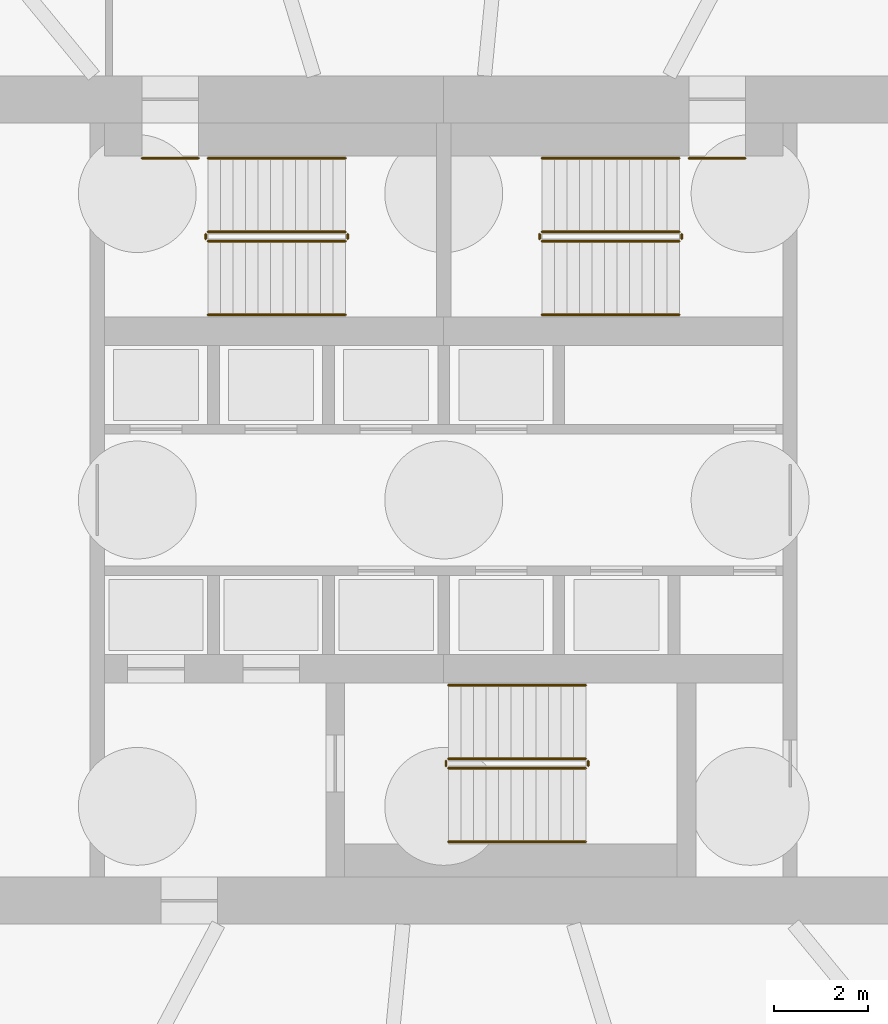
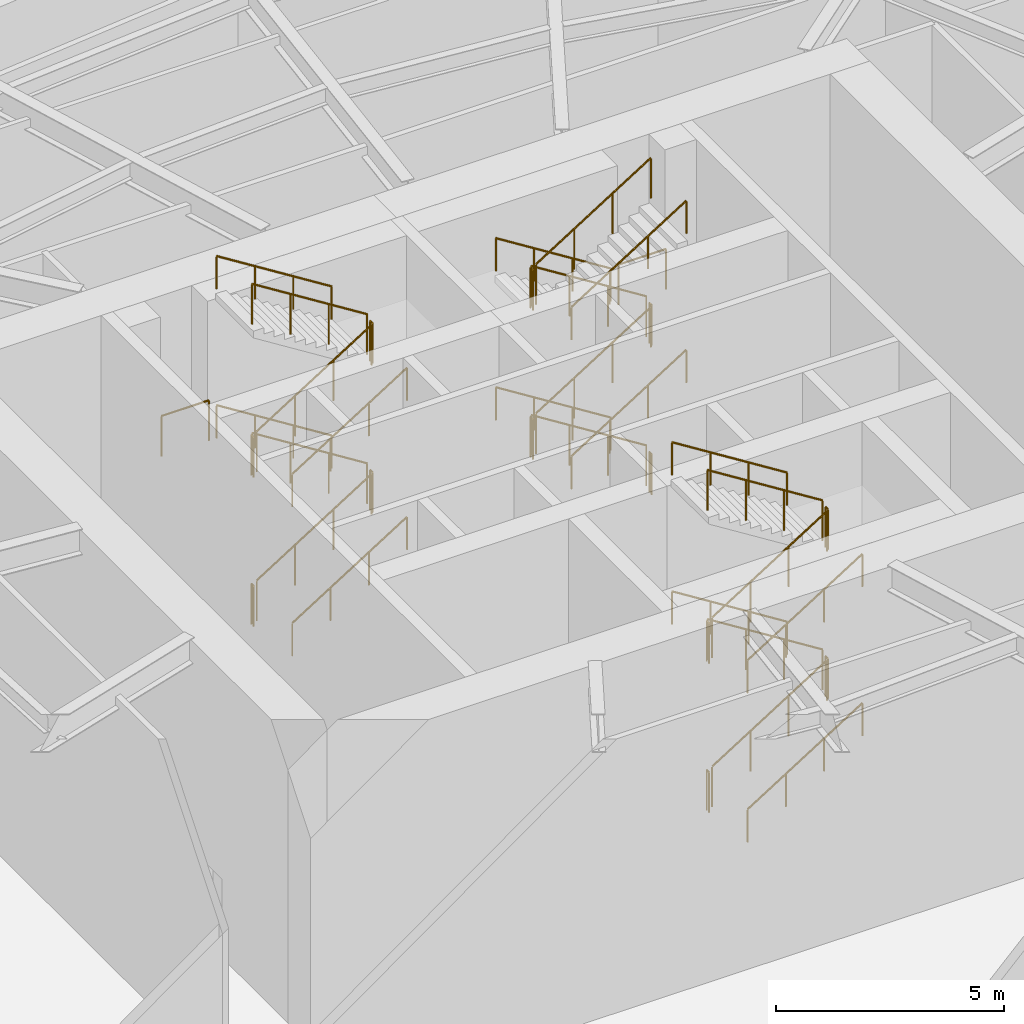
# One storey, part 26 of 27: 38 railings.
"""IFC4 building model written with IfcOpenShell, lengths in metres."""

from ifc_helpers import new_model, si_unit, direction, frame, origin, origin_2d, place, context, subcontext, project, spatial, circle, extrude, material, type_object, element, save


model = new_model("IFC4")

# Units and contexts
model_context = context("Model", 3, precision=1e-05, world=origin(), true_north=direction((0.0, 1.0)))
body_context = subcontext(model_context, "Body", "Model", "MODEL_VIEW")
ifc_project = project(units=[si_unit("LENGTHUNIT", "METRE"), si_unit("AREAUNIT", "SQUARE_METRE"), si_unit("VOLUMEUNIT", "CUBIC_METRE"), si_unit("PLANEANGLEUNIT", "RADIAN"), si_unit("MASSUNIT", "GRAM", prefix="KILO")], contexts=[model_context])

# Site, building, storey
site_placement = place(None, origin())
site = spatial("IfcSite", under=ifc_project, at=site_placement, CompositionType="ELEMENT")
building_placement = place(site_placement, origin())
building = spatial("IfcBuilding", under=site, at=building_placement, Name="Vermilion Reach Broadcast Tower", CompositionType="ELEMENT")
storey_placement = place(building_placement, origin())
storey = spatial("IfcBuildingStorey", under=building, at=storey_placement, Name="L00", CompositionType="ELEMENT", Elevation=0.0)

# Railings
ifc_material_1 = material(Name="Stainless steel", Category="steel")
railing_type_1 = type_object("IfcRailingType", Name="Stair guard 1100", PredefinedType="GUARDRAIL", material=ifc_material_1)
railing_1_placement = place(storey_placement, frame((-11.0, 5.489990234375, 0.166748046875)))
element("IfcRailing", 1, at=railing_1_placement, inside=storey, type_object=railing_type_1, Name="L00 ST1 stair guard 1", PredefinedType="GUARDRAIL", context=body_context, shape_type="SweptSolid", body=[
    extrude(circle(Radius=0.02392578125, at=origin_2d()), frame((0.0, 0.0, 1.076171875), z_axis=(0.846513317117, 0.0, 0.532367545915), x_axis=(0.0, 1.0, 0.0)), (0.0, 0.0, 1.0), 3.443603515625),
    extrude(circle(Radius=0.02099609375, at=origin_2d()), origin(), (0.0, 0.0, 1.0), 1.052001953125),
    extrude(circle(Radius=0.02099609375, at=origin_2d()), frame((0.9716796875, 0.0, 0.611083984375)), (0.0, 0.0, 1.0), 1.052001953125),
    extrude(circle(Radius=0.02099609375, at=origin_2d()), frame((1.943359375, 0.0, 1.22216796875)), (0.0, 0.0, 1.0), 1.052001953125),
    extrude(circle(Radius=0.02099609375, at=origin_2d()), frame((2.9150390625, 0.0, 1.833251953125)), (0.0, 0.0, 1.0), 1.052001953125),
])
railing_2_placement = place(storey_placement, frame((-8.034912109375, 5.5400390625, 2.0)))
element("IfcRailing", 2, at=railing_2_placement, inside=storey, type_object=railing_type_1, Name="L00 ST1 stair guard 2", PredefinedType="GUARDRAIL", context=body_context, shape_type="SweptSolid", body=[
    extrude(circle(Radius=0.02392578125, at=origin_2d()), frame((0.0, 0.0, 1.076171875), z_axis=(0.0, 1.0, 0.0), x_axis=(-1.0, 0.0, 0.0)), (0.0, 0.0, 1.0), 0.099853515625),
    extrude(circle(Radius=0.02099609375, at=origin_2d()), origin(), (0.0, 0.0, 1.0), 1.052001953125),
    extrude(circle(Radius=0.02099609375, at=origin_2d()), frame((0.0, 0.099853515625, 0.0)), (0.0, 0.0, 1.0), 1.052001953125),
])
railing_3_placement = place(storey_placement, frame((-8.0849609375, 5.68994140625, 2.166748046875)))
element("IfcRailing", 3, at=railing_3_placement, inside=storey, type_object=railing_type_1, Name="L00 ST1 stair guard 3", PredefinedType="GUARDRAIL", context=body_context, shape_type="SweptSolid", body=[
    extrude(circle(Radius=0.02392578125, at=origin_2d()), frame((0.0, 0.0, 1.076171875), z_axis=(-0.846513317117, 0.0, 0.532367545915), x_axis=(0.0, -1.0, 0.0)), (0.0, 0.0, 1.0), 3.443603515625),
    extrude(circle(Radius=0.02099609375, at=origin_2d()), origin(), (0.0, 0.0, 1.0), 1.052001953125),
    extrude(circle(Radius=0.02099609375, at=origin_2d()), frame((-0.9716796875, 0.0, 0.611083984375)), (0.0, 0.0, 1.0), 1.052001953125),
    extrude(circle(Radius=0.02099609375, at=origin_2d()), frame((-1.943359375, 0.0, 1.22216796875)), (0.0, 0.0, 1.0), 1.052001953125),
    extrude(circle(Radius=0.02099609375, at=origin_2d()), frame((-2.9150390625, 0.0, 1.833251953125)), (0.0, 0.0, 1.0), 1.052001953125),
])
railing_4_placement = place(storey_placement, frame((-11.050048828125, 5.5400390625, 4.0)))
element("IfcRailing", 4, at=railing_4_placement, inside=storey, type_object=railing_type_1, Name="L00 ST1 stair guard 4", PredefinedType="GUARDRAIL", context=body_context, shape_type="SweptSolid", body=[
    extrude(circle(Radius=0.02392578125, at=origin_2d()), frame((0.0, 0.0, 1.076171875), z_axis=(0.0, 1.0, 0.0), x_axis=(-1.0, 0.0, 0.0)), (0.0, 0.0, 1.0), 0.099853515625),
    extrude(circle(Radius=0.02099609375, at=origin_2d()), origin(), (0.0, 0.0, 1.0), 1.052001953125),
    extrude(circle(Radius=0.02099609375, at=origin_2d()), frame((0.0, 0.099853515625, 0.0)), (0.0, 0.0, 1.0), 1.052001953125),
])
railing_5_placement = place(storey_placement, frame((-11.0, 5.489990234375, 4.166748046875)))
element("IfcRailing", 5, at=railing_5_placement, inside=storey, type_object=railing_type_1, Name="L00 ST1 stair guard 5", PredefinedType="GUARDRAIL", context=body_context, shape_type="SweptSolid", body=[
    extrude(circle(Radius=0.02392578125, at=origin_2d()), frame((0.0, 0.0, 1.076171875), z_axis=(0.846513317117, 0.0, 0.532367545915), x_axis=(0.0, 1.0, 0.0)), (0.0, 0.0, 1.0), 3.443603515625),
    extrude(circle(Radius=0.02099609375, at=origin_2d()), origin(), (0.0, 0.0, 1.0), 1.052001953125),
    extrude(circle(Radius=0.02099609375, at=origin_2d()), frame((0.9716796875, 0.0, 0.611083984375)), (0.0, 0.0, 1.0), 1.052001953125),
    extrude(circle(Radius=0.02099609375, at=origin_2d()), frame((1.943359375, 0.0, 1.22216796875)), (0.0, 0.0, 1.0), 1.052001953125),
    extrude(circle(Radius=0.02099609375, at=origin_2d()), frame((2.9150390625, 0.0, 1.833251953125)), (0.0, 0.0, 1.0), 1.052001953125),
])
railing_6_placement = place(storey_placement, frame((-8.034912109375, 5.5400390625, 6.0)))
element("IfcRailing", 6, at=railing_6_placement, inside=storey, type_object=railing_type_1, Name="L00 ST1 stair guard 6", PredefinedType="GUARDRAIL", context=body_context, shape_type="SweptSolid", body=[
    extrude(circle(Radius=0.02392578125, at=origin_2d()), frame((0.0, 0.0, 1.076171875), z_axis=(0.0, 1.0, 0.0), x_axis=(-1.0, 0.0, 0.0)), (0.0, 0.0, 1.0), 0.099853515625),
    extrude(circle(Radius=0.02099609375, at=origin_2d()), origin(), (0.0, 0.0, 1.0), 1.052001953125),
    extrude(circle(Radius=0.02099609375, at=origin_2d()), frame((0.0, 0.099853515625, 0.0)), (0.0, 0.0, 1.0), 1.052001953125),
])
railing_7_placement = place(storey_placement, frame((-8.0849609375, 5.68994140625, 6.166748046875)))
element("IfcRailing", 7, at=railing_7_placement, inside=storey, type_object=railing_type_1, Name="L00 ST1 stair guard 7", PredefinedType="GUARDRAIL", context=body_context, shape_type="SweptSolid", body=[
    extrude(circle(Radius=0.02392578125, at=origin_2d()), frame((0.0, 0.0, 1.076171875), z_axis=(-0.846513317117, 0.0, 0.532367545915), x_axis=(0.0, -1.0, 0.0)), (0.0, 0.0, 1.0), 3.443603515625),
    extrude(circle(Radius=0.02099609375, at=origin_2d()), origin(), (0.0, 0.0, 1.0), 1.052001953125),
    extrude(circle(Radius=0.02099609375, at=origin_2d()), frame((-0.9716796875, 0.0, 0.611083984375)), (0.0, 0.0, 1.0), 1.052001953125),
    extrude(circle(Radius=0.02099609375, at=origin_2d()), frame((-1.943359375, 0.0, 1.22216796875)), (0.0, 0.0, 1.0), 1.052001953125),
    extrude(circle(Radius=0.02099609375, at=origin_2d()), frame((-2.9150390625, 0.0, 1.833251953125)), (0.0, 0.0, 1.0), 1.052001953125),
])
railing_8_placement = place(storey_placement, frame((-11.050048828125, 5.5400390625, 0.0)))
element("IfcRailing", 8, at=railing_8_placement, inside=storey, type_object=railing_type_1, Name="L00 ST1 stair guard 8", PredefinedType="GUARDRAIL", context=body_context, shape_type="SweptSolid", body=[
    extrude(circle(Radius=0.02392578125, at=origin_2d()), frame((0.0, 0.0, 1.076171875), z_axis=(0.0, 1.0, 0.0), x_axis=(-1.0, 0.0, 0.0)), (0.0, 0.0, 1.0), 0.099853515625),
    extrude(circle(Radius=0.02099609375, at=origin_2d()), origin(), (0.0, 0.0, 1.0), 1.052001953125),
    extrude(circle(Radius=0.02099609375, at=origin_2d()), frame((0.0, 0.099853515625, 0.0)), (0.0, 0.0, 1.0), 1.052001953125),
])
railing_9_placement = place(storey_placement, frame((-12.39990234375, 7.25, 4.0)))
element("IfcRailing", 9, at=railing_9_placement, inside=storey, type_object=railing_type_1, Name="L00 ST1 doorway guard", PredefinedType="GUARDRAIL", context=body_context, shape_type="SweptSolid", body=[
    extrude(circle(Radius=0.02392578125, at=origin_2d()), frame((0.0, 0.0, 1.076171875), z_axis=(1.0, 0.0, 0.0), x_axis=(0.0, 1.0, 0.0)), (0.0, 0.0, 1.0), 1.199951171875),
    extrude(circle(Radius=0.02099609375, at=origin_2d()), origin(), (0.0, 0.0, 1.0), 1.052001953125),
    extrude(circle(Radius=0.02099609375, at=origin_2d()), frame((1.199951171875, 0.0, 0.0)), (0.0, 0.0, 1.0), 1.052001953125),
])
railing_10_placement = place(storey_placement, frame((-1.0, 5.68994140625, 0.166748046875)))
element("IfcRailing", 10, at=railing_10_placement, inside=storey, type_object=railing_type_1, Name="L00 ST2 stair guard 1", PredefinedType="GUARDRAIL", context=body_context, shape_type="SweptSolid", body=[
    extrude(circle(Radius=0.02392578125, at=origin_2d()), frame((0.0, 0.0, 1.076171875), z_axis=(-0.846513317117, 0.0, 0.532367545915), x_axis=(0.0, -1.0, 0.0)), (0.0, 0.0, 1.0), 3.443603515625),
    extrude(circle(Radius=0.02099609375, at=origin_2d()), origin(), (0.0, 0.0, 1.0), 1.052001953125),
    extrude(circle(Radius=0.02099609375, at=origin_2d()), frame((-0.9716796875, 0.0, 0.611083984375)), (0.0, 0.0, 1.0), 1.052001953125),
    extrude(circle(Radius=0.02099609375, at=origin_2d()), frame((-1.943359375, 0.0, 1.22216796875)), (0.0, 0.0, 1.0), 1.052001953125),
    extrude(circle(Radius=0.02099609375, at=origin_2d()), frame((-2.9150390625, 0.0, 1.833251953125)), (0.0, 0.0, 1.0), 1.052001953125),
])
railing_11_placement = place(storey_placement, frame((-3.965087890625, 5.639892578125, 2.0)))
element("IfcRailing", 11, at=railing_11_placement, inside=storey, type_object=railing_type_1, Name="L00 ST2 stair guard 2", PredefinedType="GUARDRAIL", context=body_context, shape_type="SweptSolid", body=[
    extrude(circle(Radius=0.02392578125, at=origin_2d()), frame((0.0, 0.0, 1.076171875), z_axis=(0.0, -1.0, 0.0), x_axis=(1.0, 0.0, 0.0)), (0.0, 0.0, 1.0), 0.099853515625),
    extrude(circle(Radius=0.02099609375, at=origin_2d()), origin(), (0.0, 0.0, 1.0), 1.052001953125),
    extrude(circle(Radius=0.02099609375, at=origin_2d()), frame((0.0, -0.099853515625, 0.0)), (0.0, 0.0, 1.0), 1.052001953125),
])
railing_12_placement = place(storey_placement, frame((-3.9150390625, 5.489990234375, 2.166748046875)))
element("IfcRailing", 12, at=railing_12_placement, inside=storey, type_object=railing_type_1, Name="L00 ST2 stair guard 3", PredefinedType="GUARDRAIL", context=body_context, shape_type="SweptSolid", body=[
    extrude(circle(Radius=0.02392578125, at=origin_2d()), frame((0.0, 0.0, 1.076171875), z_axis=(0.846513317117, 0.0, 0.532367545915), x_axis=(0.0, 1.0, 0.0)), (0.0, 0.0, 1.0), 3.443603515625),
    extrude(circle(Radius=0.02099609375, at=origin_2d()), origin(), (0.0, 0.0, 1.0), 1.052001953125),
    extrude(circle(Radius=0.02099609375, at=origin_2d()), frame((0.9716796875, 0.0, 0.611083984375)), (0.0, 0.0, 1.0), 1.052001953125),
    extrude(circle(Radius=0.02099609375, at=origin_2d()), frame((1.943359375, 0.0, 1.22216796875)), (0.0, 0.0, 1.0), 1.052001953125),
    extrude(circle(Radius=0.02099609375, at=origin_2d()), frame((2.9150390625, 0.0, 1.833251953125)), (0.0, 0.0, 1.0), 1.052001953125),
])
railing_13_placement = place(storey_placement, frame((-0.949951171875, 5.639892578125, 4.0)))
element("IfcRailing", 13, at=railing_13_placement, inside=storey, type_object=railing_type_1, Name="L00 ST2 stair guard 4", PredefinedType="GUARDRAIL", context=body_context, shape_type="SweptSolid", body=[
    extrude(circle(Radius=0.02392578125, at=origin_2d()), frame((0.0, 0.0, 1.076171875), z_axis=(0.0, -1.0, 0.0), x_axis=(1.0, 0.0, 0.0)), (0.0, 0.0, 1.0), 0.099853515625),
    extrude(circle(Radius=0.02099609375, at=origin_2d()), origin(), (0.0, 0.0, 1.0), 1.052001953125),
    extrude(circle(Radius=0.02099609375, at=origin_2d()), frame((0.0, -0.099853515625, 0.0)), (0.0, 0.0, 1.0), 1.052001953125),
])
railing_14_placement = place(storey_placement, frame((-1.0, 5.68994140625, 4.166748046875)))
element("IfcRailing", 14, at=railing_14_placement, inside=storey, type_object=railing_type_1, Name="L00 ST2 stair guard 5", PredefinedType="GUARDRAIL", context=body_context, shape_type="SweptSolid", body=[
    extrude(circle(Radius=0.02392578125, at=origin_2d()), frame((0.0, 0.0, 1.076171875), z_axis=(-0.846513317117, 0.0, 0.532367545915), x_axis=(0.0, -1.0, 0.0)), (0.0, 0.0, 1.0), 3.443603515625),
    extrude(circle(Radius=0.02099609375, at=origin_2d()), origin(), (0.0, 0.0, 1.0), 1.052001953125),
    extrude(circle(Radius=0.02099609375, at=origin_2d()), frame((-0.9716796875, 0.0, 0.611083984375)), (0.0, 0.0, 1.0), 1.052001953125),
    extrude(circle(Radius=0.02099609375, at=origin_2d()), frame((-1.943359375, 0.0, 1.22216796875)), (0.0, 0.0, 1.0), 1.052001953125),
    extrude(circle(Radius=0.02099609375, at=origin_2d()), frame((-2.9150390625, 0.0, 1.833251953125)), (0.0, 0.0, 1.0), 1.052001953125),
])
railing_15_placement = place(storey_placement, frame((-3.965087890625, 5.639892578125, 6.0)))
element("IfcRailing", 15, at=railing_15_placement, inside=storey, type_object=railing_type_1, Name="L00 ST2 stair guard 6", PredefinedType="GUARDRAIL", context=body_context, shape_type="SweptSolid", body=[
    extrude(circle(Radius=0.02392578125, at=origin_2d()), frame((0.0, 0.0, 1.076171875), z_axis=(0.0, -1.0, 0.0), x_axis=(1.0, 0.0, 0.0)), (0.0, 0.0, 1.0), 0.099853515625),
    extrude(circle(Radius=0.02099609375, at=origin_2d()), origin(), (0.0, 0.0, 1.0), 1.052001953125),
    extrude(circle(Radius=0.02099609375, at=origin_2d()), frame((0.0, -0.099853515625, 0.0)), (0.0, 0.0, 1.0), 1.052001953125),
])
railing_16_placement = place(storey_placement, frame((-3.9150390625, 5.489990234375, 6.166748046875)))
element("IfcRailing", 16, at=railing_16_placement, inside=storey, type_object=railing_type_1, Name="L00 ST2 stair guard 7", PredefinedType="GUARDRAIL", context=body_context, shape_type="SweptSolid", body=[
    extrude(circle(Radius=0.02392578125, at=origin_2d()), frame((0.0, 0.0, 1.076171875), z_axis=(0.846513317117, 0.0, 0.532367545915), x_axis=(0.0, 1.0, 0.0)), (0.0, 0.0, 1.0), 3.443603515625),
    extrude(circle(Radius=0.02099609375, at=origin_2d()), origin(), (0.0, 0.0, 1.0), 1.052001953125),
    extrude(circle(Radius=0.02099609375, at=origin_2d()), frame((0.9716796875, 0.0, 0.611083984375)), (0.0, 0.0, 1.0), 1.052001953125),
    extrude(circle(Radius=0.02099609375, at=origin_2d()), frame((1.943359375, 0.0, 1.22216796875)), (0.0, 0.0, 1.0), 1.052001953125),
    extrude(circle(Radius=0.02099609375, at=origin_2d()), frame((2.9150390625, 0.0, 1.833251953125)), (0.0, 0.0, 1.0), 1.052001953125),
])
railing_17_placement = place(storey_placement, frame((-0.949951171875, 5.639892578125, 0.0)))
element("IfcRailing", 17, at=railing_17_placement, inside=storey, type_object=railing_type_1, Name="L00 ST2 stair guard 8", PredefinedType="GUARDRAIL", context=body_context, shape_type="SweptSolid", body=[
    extrude(circle(Radius=0.02392578125, at=origin_2d()), frame((0.0, 0.0, 1.076171875), z_axis=(0.0, -1.0, 0.0), x_axis=(1.0, 0.0, 0.0)), (0.0, 0.0, 1.0), 0.099853515625),
    extrude(circle(Radius=0.02099609375, at=origin_2d()), origin(), (0.0, 0.0, 1.0), 1.052001953125),
    extrude(circle(Radius=0.02099609375, at=origin_2d()), frame((0.0, -0.099853515625, 0.0)), (0.0, 0.0, 1.0), 1.052001953125),
])
railing_18_placement = place(storey_placement, frame((-0.800048828125, 7.25, 4.0)))
element("IfcRailing", 18, at=railing_18_placement, inside=storey, type_object=railing_type_1, Name="L00 ST2 doorway guard", PredefinedType="GUARDRAIL", context=body_context, shape_type="SweptSolid", body=[
    extrude(circle(Radius=0.02392578125, at=origin_2d()), frame((0.0, 0.0, 1.076171875), z_axis=(1.0, 0.0, 0.0), x_axis=(0.0, 1.0, 0.0)), (0.0, 0.0, 1.0), 1.199951171875),
    extrude(circle(Radius=0.02099609375, at=origin_2d()), origin(), (0.0, 0.0, 1.0), 1.052001953125),
    extrude(circle(Radius=0.02099609375, at=origin_2d()), frame((1.199951171875, 0.0, 0.0)), (0.0, 0.0, 1.0), 1.052001953125),
])
railing_19_placement = place(storey_placement, frame((-5.89990234375, -5.68994140625, 0.166748046875)))
element("IfcRailing", 19, at=railing_19_placement, inside=storey, type_object=railing_type_1, Name="L00 ST3 stair guard 1", PredefinedType="GUARDRAIL", context=body_context, shape_type="SweptSolid", body=[
    extrude(circle(Radius=0.02392578125, at=origin_2d()), frame((0.0, 0.0, 1.076171875), z_axis=(0.846493221946, 0.0, 0.532399497746), x_axis=(0.0, 1.0, 0.0)), (0.0, 0.0, 1.0), 3.443359375),
    extrude(circle(Radius=0.02099609375, at=origin_2d()), origin(), (0.0, 0.0, 1.0), 1.052001953125),
    extrude(circle(Radius=0.02099609375, at=origin_2d()), frame((0.9716796875, 0.0, 0.611083984375)), (0.0, 0.0, 1.0), 1.052001953125),
    extrude(circle(Radius=0.02099609375, at=origin_2d()), frame((1.943115234375, 0.0, 1.22216796875)), (0.0, 0.0, 1.0), 1.052001953125),
    extrude(circle(Radius=0.02099609375, at=origin_2d()), frame((2.914794921875, 0.0, 1.833251953125)), (0.0, 0.0, 1.0), 1.052001953125),
])
railing_20_placement = place(storey_placement, frame((-2.93505859375, -5.639892578125, 2.0)))
element("IfcRailing", 20, at=railing_20_placement, inside=storey, type_object=railing_type_1, Name="L00 ST3 stair guard 2", PredefinedType="GUARDRAIL", context=body_context, shape_type="SweptSolid", body=[
    extrude(circle(Radius=0.02392578125, at=origin_2d()), frame((0.0, 0.0, 1.076171875), z_axis=(0.0, 1.0, 0.0), x_axis=(-1.0, 0.0, 0.0)), (0.0, 0.0, 1.0), 0.099853515625),
    extrude(circle(Radius=0.02099609375, at=origin_2d()), origin(), (0.0, 0.0, 1.0), 1.052001953125),
    extrude(circle(Radius=0.02099609375, at=origin_2d()), frame((0.0, 0.099853515625, 0.0)), (0.0, 0.0, 1.0), 1.052001953125),
])
railing_21_placement = place(storey_placement, frame((-2.985107421875, -5.489990234375, 2.166748046875)))
element("IfcRailing", 21, at=railing_21_placement, inside=storey, type_object=railing_type_1, Name="L00 ST3 stair guard 3", PredefinedType="GUARDRAIL", context=body_context, shape_type="SweptSolid", body=[
    extrude(circle(Radius=0.02392578125, at=origin_2d()), frame((0.0, 0.0, 1.076171875), z_axis=(-0.846493221946, 0.0, 0.532399497746), x_axis=(0.0, -1.0, 0.0)), (0.0, 0.0, 1.0), 3.443359375),
    extrude(circle(Radius=0.02099609375, at=origin_2d()), origin(), (0.0, 0.0, 1.0), 1.052001953125),
    extrude(circle(Radius=0.02099609375, at=origin_2d()), frame((-0.9716796875, 0.0, 0.611083984375)), (0.0, 0.0, 1.0), 1.052001953125),
    extrude(circle(Radius=0.02099609375, at=origin_2d()), frame((-1.943115234375, 0.0, 1.22216796875)), (0.0, 0.0, 1.0), 1.052001953125),
    extrude(circle(Radius=0.02099609375, at=origin_2d()), frame((-2.914794921875, 0.0, 1.833251953125)), (0.0, 0.0, 1.0), 1.052001953125),
])
railing_22_placement = place(storey_placement, frame((-5.949951171875, -5.639892578125, 4.0)))
element("IfcRailing", 22, at=railing_22_placement, inside=storey, type_object=railing_type_1, Name="L00 ST3 stair guard 4", PredefinedType="GUARDRAIL", context=body_context, shape_type="SweptSolid", body=[
    extrude(circle(Radius=0.02392578125, at=origin_2d()), frame((0.0, 0.0, 1.076171875), z_axis=(0.0, 1.0, 0.0), x_axis=(-1.0, 0.0, 0.0)), (0.0, 0.0, 1.0), 0.099853515625),
    extrude(circle(Radius=0.02099609375, at=origin_2d()), origin(), (0.0, 0.0, 1.0), 1.052001953125),
    extrude(circle(Radius=0.02099609375, at=origin_2d()), frame((0.0, 0.099853515625, 0.0)), (0.0, 0.0, 1.0), 1.052001953125),
])
railing_23_placement = place(storey_placement, frame((-5.89990234375, -5.68994140625, 4.166748046875)))
element("IfcRailing", 23, at=railing_23_placement, inside=storey, type_object=railing_type_1, Name="L00 ST3 stair guard 5", PredefinedType="GUARDRAIL", context=body_context, shape_type="SweptSolid", body=[
    extrude(circle(Radius=0.02392578125, at=origin_2d()), frame((0.0, 0.0, 1.076171875), z_axis=(0.846493221946, 0.0, 0.532399497746), x_axis=(0.0, 1.0, 0.0)), (0.0, 0.0, 1.0), 3.443359375),
    extrude(circle(Radius=0.02099609375, at=origin_2d()), origin(), (0.0, 0.0, 1.0), 1.052001953125),
    extrude(circle(Radius=0.02099609375, at=origin_2d()), frame((0.9716796875, 0.0, 0.611083984375)), (0.0, 0.0, 1.0), 1.052001953125),
    extrude(circle(Radius=0.02099609375, at=origin_2d()), frame((1.943115234375, 0.0, 1.22216796875)), (0.0, 0.0, 1.0), 1.052001953125),
    extrude(circle(Radius=0.02099609375, at=origin_2d()), frame((2.914794921875, 0.0, 1.833251953125)), (0.0, 0.0, 1.0), 1.052001953125),
])
railing_24_placement = place(storey_placement, frame((-2.93505859375, -5.639892578125, 6.0)))
element("IfcRailing", 24, at=railing_24_placement, inside=storey, type_object=railing_type_1, Name="L00 ST3 stair guard 6", PredefinedType="GUARDRAIL", context=body_context, shape_type="SweptSolid", body=[
    extrude(circle(Radius=0.02392578125, at=origin_2d()), frame((0.0, 0.0, 1.076171875), z_axis=(0.0, 1.0, 0.0), x_axis=(-1.0, 0.0, 0.0)), (0.0, 0.0, 1.0), 0.099853515625),
    extrude(circle(Radius=0.02099609375, at=origin_2d()), origin(), (0.0, 0.0, 1.0), 1.052001953125),
    extrude(circle(Radius=0.02099609375, at=origin_2d()), frame((0.0, 0.099853515625, 0.0)), (0.0, 0.0, 1.0), 1.052001953125),
])
railing_25_placement = place(storey_placement, frame((-2.985107421875, -5.489990234375, 6.166748046875)))
element("IfcRailing", 25, at=railing_25_placement, inside=storey, type_object=railing_type_1, Name="L00 ST3 stair guard 7", PredefinedType="GUARDRAIL", context=body_context, shape_type="SweptSolid", body=[
    extrude(circle(Radius=0.02392578125, at=origin_2d()), frame((0.0, 0.0, 1.076171875), z_axis=(-0.846493221946, 0.0, 0.532399497746), x_axis=(0.0, -1.0, 0.0)), (0.0, 0.0, 1.0), 3.443359375),
    extrude(circle(Radius=0.02099609375, at=origin_2d()), origin(), (0.0, 0.0, 1.0), 1.052001953125),
    extrude(circle(Radius=0.02099609375, at=origin_2d()), frame((-0.9716796875, 0.0, 0.611083984375)), (0.0, 0.0, 1.0), 1.052001953125),
    extrude(circle(Radius=0.02099609375, at=origin_2d()), frame((-1.943115234375, 0.0, 1.22216796875)), (0.0, 0.0, 1.0), 1.052001953125),
    extrude(circle(Radius=0.02099609375, at=origin_2d()), frame((-2.914794921875, 0.0, 1.833251953125)), (0.0, 0.0, 1.0), 1.052001953125),
])
railing_26_placement = place(storey_placement, frame((-5.949951171875, -5.639892578125, 0.0)))
element("IfcRailing", 26, at=railing_26_placement, inside=storey, type_object=railing_type_1, Name="L00 ST3 stair guard 8", PredefinedType="GUARDRAIL", context=body_context, shape_type="SweptSolid", body=[
    extrude(circle(Radius=0.02392578125, at=origin_2d()), frame((0.0, 0.0, 1.076171875), z_axis=(0.0, 1.0, 0.0), x_axis=(-1.0, 0.0, 0.0)), (0.0, 0.0, 1.0), 0.099853515625),
    extrude(circle(Radius=0.02099609375, at=origin_2d()), origin(), (0.0, 0.0, 1.0), 1.052001953125),
    extrude(circle(Radius=0.02099609375, at=origin_2d()), frame((0.0, 0.099853515625, 0.0)), (0.0, 0.0, 1.0), 1.052001953125),
])
ifc_material_2 = material(Name="Stainless steel", Category="steel")
railing_type_2 = type_object("IfcRailingType", Name="Stair handrail", PredefinedType="HANDRAIL", material=ifc_material_2)
railing_27_placement = place(storey_placement, frame((-11.0, 3.929931640625, 0.166748046875)))
element("IfcRailing", 27, at=railing_27_placement, inside=storey, type_object=railing_type_2, Name="L00 ST1 stair handrail 1", PredefinedType="HANDRAIL", context=body_context, shape_type="SweptSolid", body=[
    extrude(circle(Radius=0.02392578125, at=origin_2d()), frame((0.0, 0.0, 0.8759765625), z_axis=(0.846513317117, 0.0, 0.532367545915), x_axis=(0.0, 1.0, 0.0)), (0.0, 0.0, 1.0), 3.443603515625),
    extrude(circle(Radius=0.02099609375, at=origin_2d()), origin(), (0.0, 0.0, 1.0), 0.851806640625),
    extrude(circle(Radius=0.02099609375, at=origin_2d()), frame((0.9716796875, 0.0, 0.611083984375)), (0.0, 0.0, 1.0), 0.851806640625),
    extrude(circle(Radius=0.02099609375, at=origin_2d()), frame((1.943359375, 0.0, 1.22216796875)), (0.0, 0.0, 1.0), 0.851806640625),
    extrude(circle(Radius=0.02099609375, at=origin_2d()), frame((2.9150390625, 0.0, 1.833251953125)), (0.0, 0.0, 1.0), 0.851806640625),
])
railing_28_placement = place(storey_placement, frame((-8.0849609375, 7.25, 2.166748046875)))
element("IfcRailing", 28, at=railing_28_placement, inside=storey, type_object=railing_type_2, Name="L00 ST1 stair handrail 2", PredefinedType="HANDRAIL", context=body_context, shape_type="SweptSolid", body=[
    extrude(circle(Radius=0.02392578125, at=origin_2d()), frame((0.0, 0.0, 0.8759765625), z_axis=(-0.846513317117, 0.0, 0.532367545915), x_axis=(0.0, -1.0, 0.0)), (0.0, 0.0, 1.0), 3.443603515625),
    extrude(circle(Radius=0.02099609375, at=origin_2d()), origin(), (0.0, 0.0, 1.0), 0.851806640625),
    extrude(circle(Radius=0.02099609375, at=origin_2d()), frame((-0.9716796875, 0.0, 0.611083984375)), (0.0, 0.0, 1.0), 0.851806640625),
    extrude(circle(Radius=0.02099609375, at=origin_2d()), frame((-1.943359375, 0.0, 1.22216796875)), (0.0, 0.0, 1.0), 0.851806640625),
    extrude(circle(Radius=0.02099609375, at=origin_2d()), frame((-2.9150390625, 0.0, 1.833251953125)), (0.0, 0.0, 1.0), 0.851806640625),
])
railing_29_placement = place(storey_placement, frame((-11.0, 3.929931640625, 4.166748046875)))
element("IfcRailing", 29, at=railing_29_placement, inside=storey, type_object=railing_type_2, Name="L00 ST1 stair handrail 3", PredefinedType="HANDRAIL", context=body_context, shape_type="SweptSolid", body=[
    extrude(circle(Radius=0.02392578125, at=origin_2d()), frame((0.0, 0.0, 0.8759765625), z_axis=(0.846513317117, 0.0, 0.532367545915), x_axis=(0.0, 1.0, 0.0)), (0.0, 0.0, 1.0), 3.443603515625),
    extrude(circle(Radius=0.02099609375, at=origin_2d()), origin(), (0.0, 0.0, 1.0), 0.851806640625),
    extrude(circle(Radius=0.02099609375, at=origin_2d()), frame((0.9716796875, 0.0, 0.611083984375)), (0.0, 0.0, 1.0), 0.851806640625),
    extrude(circle(Radius=0.02099609375, at=origin_2d()), frame((1.943359375, 0.0, 1.22216796875)), (0.0, 0.0, 1.0), 0.851806640625),
    extrude(circle(Radius=0.02099609375, at=origin_2d()), frame((2.9150390625, 0.0, 1.833251953125)), (0.0, 0.0, 1.0), 0.851806640625),
])
for number, where, name in (
    (30, (-8.0849609375, 7.25, 6.166748046875), "L00 ST1 stair handrail 4"),
    (31, (-1.0, 7.25, 0.166748046875), "L00 ST2 stair handrail 1"),
):
    element("IfcRailing", number, at=place(storey_placement, frame(where)), inside=storey, type_object=railing_type_2, Name=name, PredefinedType="HANDRAIL", context=body_context, shape_type="SweptSolid", body=[
        extrude(circle(Radius=0.02392578125, at=origin_2d()), frame((0.0, 0.0, 0.8759765625), z_axis=(-0.846513317117, 0.0, 0.532367545915), x_axis=(0.0, -1.0, 0.0)), (0.0, 0.0, 1.0), 3.443603515625),
        extrude(circle(Radius=0.02099609375, at=origin_2d()), origin(), (0.0, 0.0, 1.0), 0.851806640625),
        extrude(circle(Radius=0.02099609375, at=origin_2d()), frame((-0.9716796875, 0.0, 0.611083984375)), (0.0, 0.0, 1.0), 0.851806640625),
        extrude(circle(Radius=0.02099609375, at=origin_2d()), frame((-1.943359375, 0.0, 1.22216796875)), (0.0, 0.0, 1.0), 0.851806640625),
        extrude(circle(Radius=0.02099609375, at=origin_2d()), frame((-2.9150390625, 0.0, 1.833251953125)), (0.0, 0.0, 1.0), 0.851806640625),
    ])
railing_30_placement = place(storey_placement, frame((-3.9150390625, 3.929931640625, 2.166748046875)))
element("IfcRailing", 32, at=railing_30_placement, inside=storey, type_object=railing_type_2, Name="L00 ST2 stair handrail 2", PredefinedType="HANDRAIL", context=body_context, shape_type="SweptSolid", body=[
    extrude(circle(Radius=0.02392578125, at=origin_2d()), frame((0.0, 0.0, 0.8759765625), z_axis=(0.846513317117, 0.0, 0.532367545915), x_axis=(0.0, 1.0, 0.0)), (0.0, 0.0, 1.0), 3.443603515625),
    extrude(circle(Radius=0.02099609375, at=origin_2d()), origin(), (0.0, 0.0, 1.0), 0.851806640625),
    extrude(circle(Radius=0.02099609375, at=origin_2d()), frame((0.9716796875, 0.0, 0.611083984375)), (0.0, 0.0, 1.0), 0.851806640625),
    extrude(circle(Radius=0.02099609375, at=origin_2d()), frame((1.943359375, 0.0, 1.22216796875)), (0.0, 0.0, 1.0), 0.851806640625),
    extrude(circle(Radius=0.02099609375, at=origin_2d()), frame((2.9150390625, 0.0, 1.833251953125)), (0.0, 0.0, 1.0), 0.851806640625),
])
railing_31_placement = place(storey_placement, frame((-1.0, 7.25, 4.166748046875)))
element("IfcRailing", 33, at=railing_31_placement, inside=storey, type_object=railing_type_2, Name="L00 ST2 stair handrail 3", PredefinedType="HANDRAIL", context=body_context, shape_type="SweptSolid", body=[
    extrude(circle(Radius=0.02392578125, at=origin_2d()), frame((0.0, 0.0, 0.8759765625), z_axis=(-0.846513317117, 0.0, 0.532367545915), x_axis=(0.0, -1.0, 0.0)), (0.0, 0.0, 1.0), 3.443603515625),
    extrude(circle(Radius=0.02099609375, at=origin_2d()), origin(), (0.0, 0.0, 1.0), 0.851806640625),
    extrude(circle(Radius=0.02099609375, at=origin_2d()), frame((-0.9716796875, 0.0, 0.611083984375)), (0.0, 0.0, 1.0), 0.851806640625),
    extrude(circle(Radius=0.02099609375, at=origin_2d()), frame((-1.943359375, 0.0, 1.22216796875)), (0.0, 0.0, 1.0), 0.851806640625),
    extrude(circle(Radius=0.02099609375, at=origin_2d()), frame((-2.9150390625, 0.0, 1.833251953125)), (0.0, 0.0, 1.0), 0.851806640625),
])
railing_32_placement = place(storey_placement, frame((-3.9150390625, 3.929931640625, 6.166748046875)))
element("IfcRailing", 34, at=railing_32_placement, inside=storey, type_object=railing_type_2, Name="L00 ST2 stair handrail 4", PredefinedType="HANDRAIL", context=body_context, shape_type="SweptSolid", body=[
    extrude(circle(Radius=0.02392578125, at=origin_2d()), frame((0.0, 0.0, 0.8759765625), z_axis=(0.846513317117, 0.0, 0.532367545915), x_axis=(0.0, 1.0, 0.0)), (0.0, 0.0, 1.0), 3.443603515625),
    extrude(circle(Radius=0.02099609375, at=origin_2d()), origin(), (0.0, 0.0, 1.0), 0.851806640625),
    extrude(circle(Radius=0.02099609375, at=origin_2d()), frame((0.9716796875, 0.0, 0.611083984375)), (0.0, 0.0, 1.0), 0.851806640625),
    extrude(circle(Radius=0.02099609375, at=origin_2d()), frame((1.943359375, 0.0, 1.22216796875)), (0.0, 0.0, 1.0), 0.851806640625),
    extrude(circle(Radius=0.02099609375, at=origin_2d()), frame((2.9150390625, 0.0, 1.833251953125)), (0.0, 0.0, 1.0), 0.851806640625),
])
railing_33_placement = place(storey_placement, frame((-5.89990234375, -7.25, 0.166748046875)))
element("IfcRailing", 35, at=railing_33_placement, inside=storey, type_object=railing_type_2, Name="L00 ST3 stair handrail 1", PredefinedType="HANDRAIL", context=body_context, shape_type="SweptSolid", body=[
    extrude(circle(Radius=0.02392578125, at=origin_2d()), frame((0.0, 0.0, 0.8759765625), z_axis=(0.846493221946, 0.0, 0.532399497746), x_axis=(0.0, 1.0, 0.0)), (0.0, 0.0, 1.0), 3.443359375),
    extrude(circle(Radius=0.02099609375, at=origin_2d()), origin(), (0.0, 0.0, 1.0), 0.851806640625),
    extrude(circle(Radius=0.02099609375, at=origin_2d()), frame((0.9716796875, 0.0, 0.611083984375)), (0.0, 0.0, 1.0), 0.851806640625),
    extrude(circle(Radius=0.02099609375, at=origin_2d()), frame((1.943115234375, 0.0, 1.22216796875)), (0.0, 0.0, 1.0), 0.851806640625),
    extrude(circle(Radius=0.02099609375, at=origin_2d()), frame((2.914794921875, 0.0, 1.833251953125)), (0.0, 0.0, 1.0), 0.851806640625),
])
railing_34_placement = place(storey_placement, frame((-2.985107421875, -3.929931640625, 2.166748046875)))
element("IfcRailing", 36, at=railing_34_placement, inside=storey, type_object=railing_type_2, Name="L00 ST3 stair handrail 2", PredefinedType="HANDRAIL", context=body_context, shape_type="SweptSolid", body=[
    extrude(circle(Radius=0.02392578125, at=origin_2d()), frame((0.0, 0.0, 0.8759765625), z_axis=(-0.846493221946, 0.0, 0.532399497746), x_axis=(0.0, -1.0, 0.0)), (0.0, 0.0, 1.0), 3.443359375),
    extrude(circle(Radius=0.02099609375, at=origin_2d()), origin(), (0.0, 0.0, 1.0), 0.851806640625),
    extrude(circle(Radius=0.02099609375, at=origin_2d()), frame((-0.9716796875, 0.0, 0.611083984375)), (0.0, 0.0, 1.0), 0.851806640625),
    extrude(circle(Radius=0.02099609375, at=origin_2d()), frame((-1.943115234375, 0.0, 1.22216796875)), (0.0, 0.0, 1.0), 0.851806640625),
    extrude(circle(Radius=0.02099609375, at=origin_2d()), frame((-2.914794921875, 0.0, 1.833251953125)), (0.0, 0.0, 1.0), 0.851806640625),
])
railing_35_placement = place(storey_placement, frame((-5.89990234375, -7.25, 4.166748046875)))
element("IfcRailing", 37, at=railing_35_placement, inside=storey, type_object=railing_type_2, Name="L00 ST3 stair handrail 3", PredefinedType="HANDRAIL", context=body_context, shape_type="SweptSolid", body=[
    extrude(circle(Radius=0.02392578125, at=origin_2d()), frame((0.0, 0.0, 0.8759765625), z_axis=(0.846493221946, 0.0, 0.532399497746), x_axis=(0.0, 1.0, 0.0)), (0.0, 0.0, 1.0), 3.443359375),
    extrude(circle(Radius=0.02099609375, at=origin_2d()), origin(), (0.0, 0.0, 1.0), 0.851806640625),
    extrude(circle(Radius=0.02099609375, at=origin_2d()), frame((0.9716796875, 0.0, 0.611083984375)), (0.0, 0.0, 1.0), 0.851806640625),
    extrude(circle(Radius=0.02099609375, at=origin_2d()), frame((1.943115234375, 0.0, 1.22216796875)), (0.0, 0.0, 1.0), 0.851806640625),
    extrude(circle(Radius=0.02099609375, at=origin_2d()), frame((2.914794921875, 0.0, 1.833251953125)), (0.0, 0.0, 1.0), 0.851806640625),
])
railing_36_placement = place(storey_placement, frame((-2.985107421875, -3.929931640625, 6.166748046875)))
element("IfcRailing", 38, at=railing_36_placement, inside=storey, type_object=railing_type_2, Name="L00 ST3 stair handrail 4", PredefinedType="HANDRAIL", context=body_context, shape_type="SweptSolid", body=[
    extrude(circle(Radius=0.02392578125, at=origin_2d()), frame((0.0, 0.0, 0.8759765625), z_axis=(-0.846493221946, 0.0, 0.532399497746), x_axis=(0.0, -1.0, 0.0)), (0.0, 0.0, 1.0), 3.443359375),
    extrude(circle(Radius=0.02099609375, at=origin_2d()), origin(), (0.0, 0.0, 1.0), 0.851806640625),
    extrude(circle(Radius=0.02099609375, at=origin_2d()), frame((-0.9716796875, 0.0, 0.611083984375)), (0.0, 0.0, 1.0), 0.851806640625),
    extrude(circle(Radius=0.02099609375, at=origin_2d()), frame((-1.943115234375, 0.0, 1.22216796875)), (0.0, 0.0, 1.0), 0.851806640625),
    extrude(circle(Radius=0.02099609375, at=origin_2d()), frame((-2.914794921875, 0.0, 1.833251953125)), (0.0, 0.0, 1.0), 0.851806640625),
])

save(model, "model.ifc")
